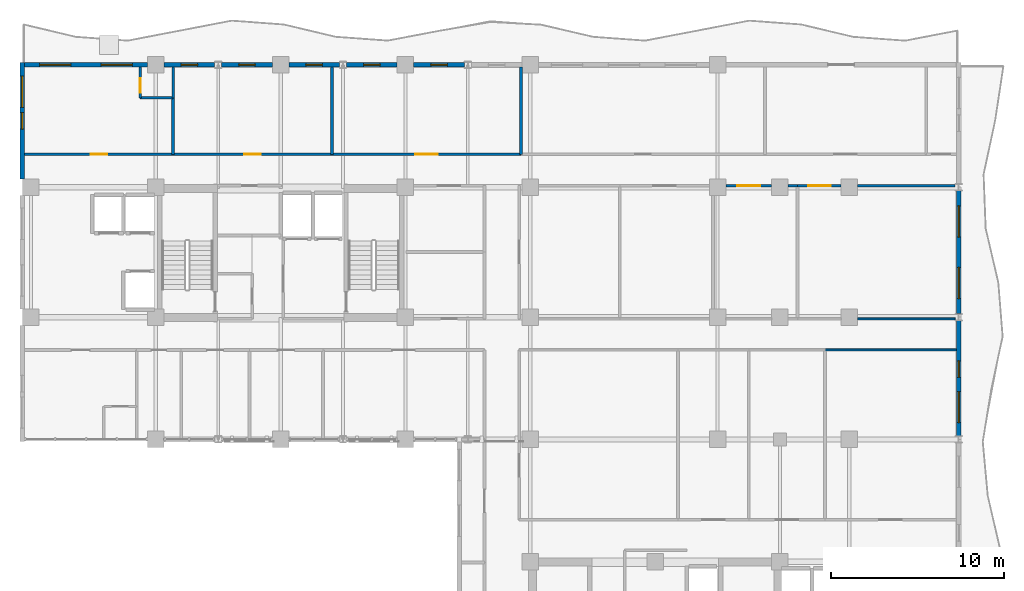
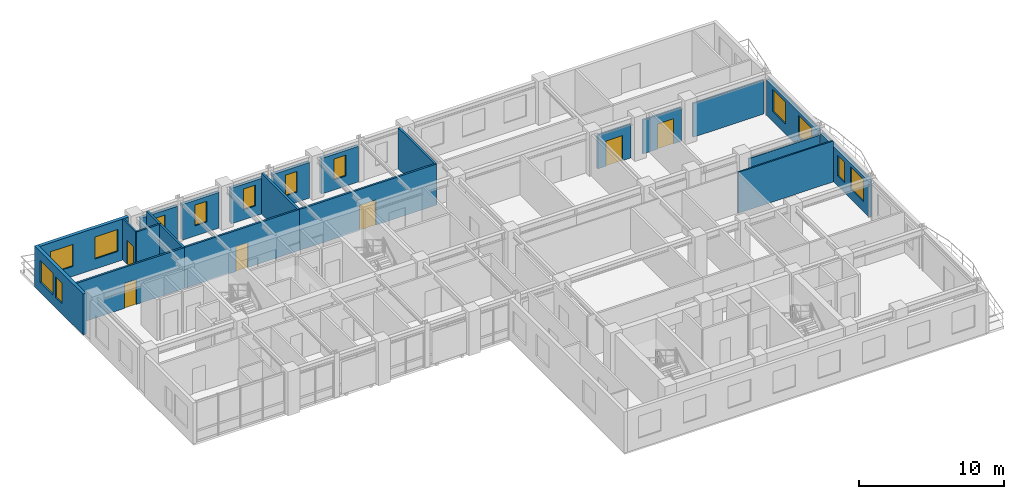
# One storey, part 11 of 16: 24 walls, 13 windows, 6 doors, 19 openings.
"""IFC4 building model written with IfcOpenShell, lengths in metres."""

from ifc_helpers import new_model, si_unit, direction, frame, frame_2d, origin, place, context, subcontext, project, spatial, rectangle, extrude, material, layer, layer_set, type_object, element, fill, save


model = new_model("IFC4")

# Units and contexts
model_context = context("Model", 3, precision=1e-05, world=origin(), true_north=direction((0.0, 1.0)))
body_context = subcontext(model_context, "Body", "Model", "MODEL_VIEW")
ifc_project = project(units=[si_unit("LENGTHUNIT", "METRE"), si_unit("AREAUNIT", "SQUARE_METRE"), si_unit("VOLUMEUNIT", "CUBIC_METRE"), si_unit("PLANEANGLEUNIT", "RADIAN"), si_unit("MASSUNIT", "GRAM", prefix="KILO")], contexts=[model_context])

# Site, building, storey
site_placement = place(None, origin())
site = spatial("IfcSite", under=ifc_project, at=site_placement, CompositionType="ELEMENT")
building_placement = place(site_placement, origin())
building = spatial("IfcBuilding", under=site, at=building_placement, Name="Kaliganga Portal Commons", CompositionType="ELEMENT")
storey_placement = place(building_placement, frame((0.0, 0.0, 205.5)))
storey = spatial("IfcBuildingStorey", under=building, at=storey_placement, Name="L52", CompositionType="ELEMENT", Elevation=205.5)

# Wall, openings, windows
ifc_material_1 = material(Name="Insulated Aluminium-Clad Spandrel Assembly", Category="aluminium")
ifc_layer_1 = layer(ifc_material_1, 0.260009765625)
ifc_layer_set_1 = layer_set([ifc_layer_1], Name="Insulated Aluminium-Clad Spandrel Assembly")
wall_type_1 = type_object("IfcWallType", Name="WL-EXT-SPAND-260", PredefinedType="STANDARD", material=ifc_layer_set_1)
wall_1_placement = place(storey_placement, frame((60.699951171875, 28.448974609375, 0.0), z_axis=(0.0, 0.0, 1.0), x_axis=(0.0, -1.0, 0.0)))
wall_1 = element("IfcWall", 1, at=wall_1_placement, inside=storey, type_object=wall_type_1, Name="Exterior Envelope Wall L52 P1-E01-S4", PredefinedType="STANDARD", context=body_context, shape_type="SweptSolid", body=[
    extrude(rectangle(XDim=6.64794921875, YDim=0.260009765625, at=frame_2d((3.323974609375, 0.0))), origin(), (0.0, 0.0, 1.0), 3.0),
])
opening_1_placement = place(wall_1_placement, frame((4.0859375, 0.0, 0.85009765625)))
opening_1 = element("IfcOpeningElement", 2, at=opening_1_placement, cuts=wall_1, Name="Opening W-01", PredefinedType="OPENING", context=body_context, shape_type="SweptSolid", body=[
    extrude(rectangle(XDim=1.800048828125, YDim=1.85009765625, at=frame_2d((0.89990234375, 0.925048828125))), frame((0.0, 0.14013671875, 0.0), z_axis=(0.0, -1.0, 0.0), x_axis=(1.0, 0.0, 0.0)), (0.0, 0.0, 1.0), 0.280029296875),
])
opening_2_placement = place(wall_1_placement, frame((2.317138671875, 0.0, 0.85009765625)))
opening_2 = element("IfcOpeningElement", 3, at=opening_2_placement, cuts=wall_1, Name="Opening W-04", PredefinedType="OPENING", context=body_context, shape_type="SweptSolid", body=[
    extrude(rectangle(XDim=0.949951171875, YDim=1.75, at=frame_2d((0.47509765625, 0.875))), frame((0.0, 0.14013671875, 0.0), z_axis=(0.0, -1.0, 0.0), x_axis=(1.0, 0.0, 0.0)), (0.0, 0.0, 1.0), 0.280029296875),
])
ifc_material_2 = material(Name="Thermally Broken Aluminium and Low-E Double Glazing", Category="aluminium")
window_type_1 = type_object("IfcWindowType", Name="WIN-NARROW-950", PartitioningType="SINGLE_PANEL", PredefinedType="WINDOW", material=ifc_material_2)
window_1_placement = place(opening_2_placement, origin())
window_1 = element("IfcWindow", 4, at=window_1_placement, inside=storey, type_object=window_type_1, Name="Facade Window L52-P1E01S4-N5", OverallHeight=1.75, OverallWidth=0.949951171875, PartitioningType="SINGLE_PANEL", PredefinedType="WINDOW", context=body_context, shape_type="SweptSolid", body=[
    extrude(rectangle(XDim=0.949951171875, YDim=1.75, at=frame_2d((0.47509765625, 0.875))), frame((0.0, 0.030029296875, 0.0), z_axis=(0.0, -1.0, 0.0), x_axis=(1.0, 0.0, 0.0)), (0.0, 0.0, 1.0), 0.06005859375),
])
fill(opening_2, window_1)
window_type_2 = type_object("IfcWindowType", Name="WIN-STD-1800", PartitioningType="DOUBLE_PANEL_VERTICAL", PredefinedType="WINDOW", material=ifc_material_2)
window_2_placement = place(opening_1_placement, origin())
window_2 = element("IfcWindow", 5, at=window_2_placement, inside=storey, type_object=window_type_2, Name="Facade Window L52-P1E01S4-01", OverallHeight=1.85009765625, OverallWidth=1.800048828125, PartitioningType="SINGLE_PANEL", PredefinedType="WINDOW", context=body_context, shape_type="SweptSolid", body=[
    extrude(rectangle(XDim=1.800048828125, YDim=1.85009765625, at=frame_2d((0.89990234375, 0.925048828125))), frame((0.0, 0.030029296875, 0.0), z_axis=(0.0, -1.0, 0.0), x_axis=(1.0, 0.0, 0.0)), (0.0, 0.0, 1.0), 0.06005859375),
])
fill(opening_1, window_2)

wall_2_placement = place(storey_placement, frame((60.699951171875, 35.948974609375, 0.0), z_axis=(0.0, 0.0, 1.0), x_axis=(0.0, -1.0, 0.0)))
wall_2 = element("IfcWall", 6, at=wall_2_placement, inside=storey, type_object=wall_type_1, Name="Exterior Envelope Wall L52 P1-E01-S5", PredefinedType="STANDARD", context=body_context, shape_type="SweptSolid", body=[
    extrude(rectangle(XDim=7.097900390625, YDim=0.260009765625, at=frame_2d((3.548828125, 0.0))), origin(), (0.0, 0.0, 1.0), 3.0),
])
opening_3_placement = place(wall_2_placement, frame((0.87451171875, 0.0, 0.85009765625)))
opening_3 = element("IfcOpeningElement", 7, at=opening_3_placement, cuts=wall_2, Name="Opening W-01", PredefinedType="OPENING", context=body_context, shape_type="SweptSolid", body=[
    extrude(rectangle(XDim=1.800048828125, YDim=1.85009765625, at=frame_2d((0.89990234375, 0.925048828125))), frame((0.0, 0.14013671875, 0.0), z_axis=(0.0, -1.0, 0.0), x_axis=(1.0, 0.0, 0.0)), (0.0, 0.0, 1.0), 0.280029296875),
])
opening_4_placement = place(wall_2_placement, frame((4.423583984375, 0.0, 0.85009765625)))
opening_4 = element("IfcOpeningElement", 8, at=opening_4_placement, cuts=wall_2, Name="Opening W-01", PredefinedType="OPENING", context=body_context, shape_type="SweptSolid", body=[
    extrude(rectangle(XDim=1.800048828125, YDim=1.85009765625, at=frame_2d((0.89990234375, 0.925048828125))), frame((0.0, 0.14013671875, 0.0), z_axis=(0.0, -1.0, 0.0), x_axis=(1.0, 0.0, 0.0)), (0.0, 0.0, 1.0), 0.280029296875),
])
window_3_placement = place(opening_3_placement, origin())
window_3 = element("IfcWindow", 9, at=window_3_placement, inside=storey, type_object=window_type_2, Name="Facade Window L52-P1E01S5-00", OverallHeight=1.85009765625, OverallWidth=1.800048828125, PartitioningType="SINGLE_PANEL", PredefinedType="WINDOW", context=body_context, shape_type="SweptSolid", body=[
    extrude(rectangle(XDim=1.800048828125, YDim=1.85009765625, at=frame_2d((0.89990234375, 0.925048828125))), frame((0.0, 0.030029296875, 0.0), z_axis=(0.0, -1.0, 0.0), x_axis=(1.0, 0.0, 0.0)), (0.0, 0.0, 1.0), 0.06005859375),
])
fill(opening_3, window_3)
window_4_placement = place(opening_4_placement, origin())
window_4 = element("IfcWindow", 10, at=window_4_placement, inside=storey, type_object=window_type_2, Name="Facade Window L52-P1E01S5-01", OverallHeight=1.85009765625, OverallWidth=1.800048828125, PartitioningType="SINGLE_PANEL", PredefinedType="WINDOW", context=body_context, shape_type="SweptSolid", body=[
    extrude(rectangle(XDim=1.800048828125, YDim=1.85009765625, at=frame_2d((0.89990234375, 0.925048828125))), frame((0.0, 0.030029296875, 0.0), z_axis=(0.0, -1.0, 0.0), x_axis=(1.0, 0.0, 0.0)), (0.0, 0.0, 1.0), 0.06005859375),
])
fill(opening_4, window_4)

# Wall, opening, window
wall_3_placement = place(storey_placement, frame((29.27587890625, 43.199951171875, 0.0), z_axis=(0.0, 0.0, 1.0), x_axis=(1.0, 0.0, 0.0)))
wall_3 = element("IfcWall", 11, at=wall_3_placement, inside=storey, type_object=wall_type_1, Name="Exterior Envelope Wall L52 P1-E02-S4", PredefinedType="STANDARD", context=body_context, shape_type="SweptSolid", body=[
    extrude(rectangle(XDim=2.923583984375, YDim=0.260009765625, at=frame_2d((1.4619140625, 0.0))), origin(), (0.0, 0.0, 1.0), 3.0),
])
opening_5_placement = place(wall_3_placement, frame((0.98681640625, 0.0, 0.85009765625)))
opening_5 = element("IfcOpeningElement", 12, at=opening_5_placement, cuts=wall_3, Name="Opening W-04", PredefinedType="OPENING", context=body_context, shape_type="SweptSolid", body=[
    extrude(rectangle(XDim=0.949951171875, YDim=1.75, at=frame_2d((0.47509765625, 0.875))), frame((0.0, 0.14013671875, 0.0), z_axis=(0.0, -1.0, 0.0), x_axis=(1.0, 0.0, 0.0)), (0.0, 0.0, 1.0), 0.280029296875),
])
window_5_placement = place(opening_5_placement, origin())
window_5 = element("IfcWindow", 13, at=window_5_placement, inside=storey, type_object=window_type_1, Name="Facade Window L52-P1E02S4-00", OverallHeight=1.75, OverallWidth=0.949951171875, PartitioningType="SINGLE_PANEL", PredefinedType="WINDOW", context=body_context, shape_type="SweptSolid", body=[
    extrude(rectangle(XDim=0.949951171875, YDim=1.75, at=frame_2d((0.47509765625, 0.875))), frame((0.0, 0.030029296875, 0.0), z_axis=(0.0, -1.0, 0.0), x_axis=(1.0, 0.0, 0.0)), (0.0, 0.0, 1.0), 0.06005859375),
])
fill(opening_5, window_5)

wall_4_placement = place(storey_placement, frame((25.400390625, 43.199951171875, 0.0), z_axis=(0.0, 0.0, 1.0), x_axis=(1.0, 0.0, 0.0)))
wall_4 = element("IfcWall", 14, at=wall_4_placement, inside=storey, type_object=wall_type_1, Name="Exterior Envelope Wall L52 P1-E02-S5", PredefinedType="STANDARD", context=body_context, shape_type="SweptSolid", body=[
    extrude(rectangle(XDim=2.923583984375, YDim=0.260009765625, at=frame_2d((1.4619140625, 0.0))), origin(), (0.0, 0.0, 1.0), 3.0),
])
opening_6_placement = place(wall_4_placement, frame((0.98681640625, 0.0, 0.85009765625)))
opening_6 = element("IfcOpeningElement", 15, at=opening_6_placement, cuts=wall_4, Name="Opening W-04", PredefinedType="OPENING", context=body_context, shape_type="SweptSolid", body=[
    extrude(rectangle(XDim=0.949951171875, YDim=1.75, at=frame_2d((0.47509765625, 0.875))), frame((0.0, 0.14013671875, 0.0), z_axis=(0.0, -1.0, 0.0), x_axis=(1.0, 0.0, 0.0)), (0.0, 0.0, 1.0), 0.280029296875),
])
window_6_placement = place(opening_6_placement, origin())
window_6 = element("IfcWindow", 16, at=window_6_placement, inside=storey, type_object=window_type_1, Name="Facade Window L52-P1E02S5-00", OverallHeight=1.75, OverallWidth=0.949951171875, PartitioningType="SINGLE_PANEL", PredefinedType="WINDOW", context=body_context, shape_type="SweptSolid", body=[
    extrude(rectangle(XDim=0.949951171875, YDim=1.75, at=frame_2d((0.47509765625, 0.875))), frame((0.0, 0.030029296875, 0.0), z_axis=(0.0, -1.0, 0.0), x_axis=(1.0, 0.0, 0.0)), (0.0, 0.0, 1.0), 0.06005859375),
])
fill(opening_6, window_6)

wall_5_placement = place(storey_placement, frame((22.075927734375, 43.199951171875, 0.0), z_axis=(0.0, 0.0, 1.0), x_axis=(1.0, 0.0, 0.0)))
wall_5 = element("IfcWall", 17, at=wall_5_placement, inside=storey, type_object=wall_type_1, Name="Exterior Envelope Wall L52 P1-E02-S6", PredefinedType="STANDARD", context=body_context, shape_type="SweptSolid", body=[
    extrude(rectangle(XDim=2.923583984375, YDim=0.260009765625, at=frame_2d((1.4619140625, 0.0))), origin(), (0.0, 0.0, 1.0), 3.0),
])
opening_7_placement = place(wall_5_placement, frame((0.98681640625, 0.0, 0.85009765625)))
opening_7 = element("IfcOpeningElement", 18, at=opening_7_placement, cuts=wall_5, Name="Opening W-04", PredefinedType="OPENING", context=body_context, shape_type="SweptSolid", body=[
    extrude(rectangle(XDim=0.949951171875, YDim=1.75, at=frame_2d((0.47509765625, 0.875))), frame((0.0, 0.14013671875, 0.0), z_axis=(0.0, -1.0, 0.0), x_axis=(1.0, 0.0, 0.0)), (0.0, 0.0, 1.0), 0.280029296875),
])
window_7_placement = place(opening_7_placement, origin())
window_7 = element("IfcWindow", 19, at=window_7_placement, inside=storey, type_object=window_type_1, Name="Facade Window L52-P1E02S6-00", OverallHeight=1.75, OverallWidth=0.949951171875, PartitioningType="SINGLE_PANEL", PredefinedType="WINDOW", context=body_context, shape_type="SweptSolid", body=[
    extrude(rectangle(XDim=0.949951171875, YDim=1.75, at=frame_2d((0.47509765625, 0.875))), frame((0.0, 0.030029296875, 0.0), z_axis=(0.0, -1.0, 0.0), x_axis=(1.0, 0.0, 0.0)), (0.0, 0.0, 1.0), 0.06005859375),
])
fill(opening_7, window_7)

wall_6_placement = place(storey_placement, frame((18.200439453125, 43.199951171875, 0.0), z_axis=(0.0, 0.0, 1.0), x_axis=(1.0, 0.0, 0.0)))
wall_6 = element("IfcWall", 20, at=wall_6_placement, inside=storey, type_object=wall_type_1, Name="Exterior Envelope Wall L52 P1-E02-S7", PredefinedType="STANDARD", context=body_context, shape_type="SweptSolid", body=[
    extrude(rectangle(XDim=2.923583984375, YDim=0.260009765625, at=frame_2d((1.4619140625, 0.0))), origin(), (0.0, 0.0, 1.0), 3.0),
])
opening_8_placement = place(wall_6_placement, frame((0.98681640625, 0.0, 0.85009765625)))
opening_8 = element("IfcOpeningElement", 21, at=opening_8_placement, cuts=wall_6, Name="Opening W-04", PredefinedType="OPENING", context=body_context, shape_type="SweptSolid", body=[
    extrude(rectangle(XDim=0.949951171875, YDim=1.75, at=frame_2d((0.47509765625, 0.875))), frame((0.0, 0.14013671875, 0.0), z_axis=(0.0, -1.0, 0.0), x_axis=(1.0, 0.0, 0.0)), (0.0, 0.0, 1.0), 0.280029296875),
])
window_8_placement = place(opening_8_placement, origin())
window_8 = element("IfcWindow", 22, at=window_8_placement, inside=storey, type_object=window_type_1, Name="Facade Window L52-P1E02S7-00", OverallHeight=1.75, OverallWidth=0.949951171875, PartitioningType="SINGLE_PANEL", PredefinedType="WINDOW", context=body_context, shape_type="SweptSolid", body=[
    extrude(rectangle(XDim=0.949951171875, YDim=1.75, at=frame_2d((0.47509765625, 0.875))), frame((0.0, 0.030029296875, 0.0), z_axis=(0.0, -1.0, 0.0), x_axis=(1.0, 0.0, 0.0)), (0.0, 0.0, 1.0), 0.06005859375),
])
fill(opening_8, window_8)

wall_7_placement = place(storey_placement, frame((14.8759765625, 43.199951171875, 0.0), z_axis=(0.0, 0.0, 1.0), x_axis=(1.0, 0.0, 0.0)))
wall_7 = element("IfcWall", 23, at=wall_7_placement, inside=storey, type_object=wall_type_1, Name="Exterior Envelope Wall L52 P1-E02-S8", PredefinedType="STANDARD", context=body_context, shape_type="SweptSolid", body=[
    extrude(rectangle(XDim=2.923583984375, YDim=0.260009765625, at=frame_2d((1.4619140625, 0.0))), origin(), (0.0, 0.0, 1.0), 3.0),
])
opening_9_placement = place(wall_7_placement, frame((0.98681640625, 0.0, 0.85009765625)))
opening_9 = element("IfcOpeningElement", 24, at=opening_9_placement, cuts=wall_7, Name="Opening W-04", PredefinedType="OPENING", context=body_context, shape_type="SweptSolid", body=[
    extrude(rectangle(XDim=0.949951171875, YDim=1.75, at=frame_2d((0.47509765625, 0.875))), frame((0.0, 0.14013671875, 0.0), z_axis=(0.0, -1.0, 0.0), x_axis=(1.0, 0.0, 0.0)), (0.0, 0.0, 1.0), 0.280029296875),
])
window_9_placement = place(opening_9_placement, origin())
window_9 = element("IfcWindow", 25, at=window_9_placement, inside=storey, type_object=window_type_1, Name="Facade Window L52-P1E02S8-00", OverallHeight=1.75, OverallWidth=0.949951171875, PartitioningType="SINGLE_PANEL", PredefinedType="WINDOW", context=body_context, shape_type="SweptSolid", body=[
    extrude(rectangle(XDim=0.949951171875, YDim=1.75, at=frame_2d((0.47509765625, 0.875))), frame((0.0, 0.030029296875, 0.0), z_axis=(0.0, -1.0, 0.0), x_axis=(1.0, 0.0, 0.0)), (0.0, 0.0, 1.0), 0.06005859375),
])
fill(opening_9, window_9)

# Wall, openings, windows
wall_8_placement = place(storey_placement, frame((6.8349609375, 43.199951171875, 0.0), z_axis=(0.0, 0.0, 1.0), x_axis=(1.0, 0.0, 0.0)))
wall_8 = element("IfcWall", 26, at=wall_8_placement, inside=storey, type_object=wall_type_1, Name="Exterior Envelope Wall L52 P1-E02-S9", PredefinedType="STANDARD", context=body_context, shape_type="SweptSolid", body=[
    extrude(rectangle(XDim=7.089111328125, YDim=0.260009765625, at=frame_2d((3.54443359375, 0.0))), origin(), (0.0, 0.0, 1.0), 3.449951171875),
])
opening_10_placement = place(wall_8_placement, frame((0.872314453125, 0.0, 0.85009765625)))
opening_10 = element("IfcOpeningElement", 27, at=opening_10_placement, cuts=wall_8, Name="Opening W-01", PredefinedType="OPENING", context=body_context, shape_type="SweptSolid", body=[
    extrude(rectangle(XDim=1.800048828125, YDim=1.85009765625, at=frame_2d((0.89990234375, 0.925048828125))), frame((0.0, 0.14013671875, 0.0), z_axis=(0.0, -1.0, 0.0), x_axis=(1.0, 0.0, 0.0)), (0.0, 0.0, 1.0), 0.280029296875),
])
opening_11_placement = place(wall_8_placement, frame((4.416748046875, 0.0, 0.85009765625)))
opening_11 = element("IfcOpeningElement", 28, at=opening_11_placement, cuts=wall_8, Name="Opening W-01", PredefinedType="OPENING", context=body_context, shape_type="SweptSolid", body=[
    extrude(rectangle(XDim=1.800048828125, YDim=1.85009765625, at=frame_2d((0.89990234375, 0.925048828125))), frame((0.0, 0.14013671875, 0.0), z_axis=(0.0, -1.0, 0.0), x_axis=(1.0, 0.0, 0.0)), (0.0, 0.0, 1.0), 0.280029296875),
])
window_10_placement = place(opening_10_placement, origin())
window_10 = element("IfcWindow", 29, at=window_10_placement, inside=storey, type_object=window_type_2, Name="Facade Window L52-P1E02S9-00", OverallHeight=1.85009765625, OverallWidth=1.800048828125, PartitioningType="SINGLE_PANEL", PredefinedType="WINDOW", context=body_context, shape_type="SweptSolid", body=[
    extrude(rectangle(XDim=1.800048828125, YDim=1.85009765625, at=frame_2d((0.89990234375, 0.925048828125))), frame((0.0, 0.030029296875, 0.0), z_axis=(0.0, -1.0, 0.0), x_axis=(1.0, 0.0, 0.0)), (0.0, 0.0, 1.0), 0.06005859375),
])
fill(opening_10, window_10)
window_11_placement = place(opening_11_placement, origin())
window_11 = element("IfcWindow", 30, at=window_11_placement, inside=storey, type_object=window_type_2, Name="Facade Window L52-P1E02S9-01", OverallHeight=1.85009765625, OverallWidth=1.800048828125, PartitioningType="SINGLE_PANEL", PredefinedType="WINDOW", context=body_context, shape_type="SweptSolid", body=[
    extrude(rectangle(XDim=1.800048828125, YDim=1.85009765625, at=frame_2d((0.89990234375, 0.925048828125))), frame((0.0, 0.030029296875, 0.0), z_axis=(0.0, -1.0, 0.0), x_axis=(1.0, 0.0, 0.0)), (0.0, 0.0, 1.0), 0.06005859375),
])
fill(opening_11, window_11)

wall_9_placement = place(storey_placement, frame((6.699951171875, 36.6259765625, 0.0), z_axis=(0.0, 0.0, 1.0), x_axis=(0.0, 1.0, 0.0)))
wall_9 = element("IfcWall", 31, at=wall_9_placement, inside=storey, type_object=wall_type_1, Name="Exterior Envelope Wall L52 P1-E03-S1", PredefinedType="STANDARD", context=body_context, shape_type="SweptSolid", body=[
    extrude(rectangle(XDim=6.7041015625, YDim=0.260009765625, at=frame_2d((3.35205078125, 0.0))), origin(), (0.0, 0.0, 1.0), 3.449951171875),
])
opening_12_placement = place(wall_9_placement, frame((4.1279296875, 0.0, 0.85009765625)))
opening_12 = element("IfcOpeningElement", 32, at=opening_12_placement, cuts=wall_9, Name="Opening W-01", PredefinedType="OPENING", context=body_context, shape_type="SweptSolid", body=[
    extrude(rectangle(XDim=1.800048828125, YDim=1.85009765625, at=frame_2d((0.89990234375, 0.925048828125))), frame((0.0, 0.14013671875, 0.0), z_axis=(0.0, -1.0, 0.0), x_axis=(1.0, 0.0, 0.0)), (0.0, 0.0, 1.0), 0.280029296875),
])
opening_13_placement = place(wall_9_placement, frame((2.876953125, 0.0, 0.85009765625)))
opening_13 = element("IfcOpeningElement", 33, at=opening_13_placement, cuts=wall_9, Name="Opening W-04", PredefinedType="OPENING", context=body_context, shape_type="SweptSolid", body=[
    extrude(rectangle(XDim=0.949951171875, YDim=1.75, at=frame_2d((0.47509765625, 0.875))), frame((0.0, 0.14013671875, 0.0), z_axis=(0.0, -1.0, 0.0), x_axis=(1.0, 0.0, 0.0)), (0.0, 0.0, 1.0), 0.280029296875),
])
window_12_placement = place(opening_13_placement, origin())
window_12 = element("IfcWindow", 34, at=window_12_placement, inside=storey, type_object=window_type_1, Name="Facade Window L52-P1E03S1-N0", OverallHeight=1.75, OverallWidth=0.949951171875, PartitioningType="SINGLE_PANEL", PredefinedType="WINDOW", context=body_context, shape_type="SweptSolid", body=[
    extrude(rectangle(XDim=0.949951171875, YDim=1.75, at=frame_2d((0.47509765625, 0.875))), frame((0.0, 0.030029296875, 0.0), z_axis=(0.0, -1.0, 0.0), x_axis=(1.0, 0.0, 0.0)), (0.0, 0.0, 1.0), 0.06005859375),
])
fill(opening_13, window_12)
window_13_placement = place(opening_12_placement, origin())
window_13 = element("IfcWindow", 35, at=window_13_placement, inside=storey, type_object=window_type_2, Name="Facade Window L52-P1E03S1-01", OverallHeight=1.85009765625, OverallWidth=1.800048828125, PartitioningType="SINGLE_PANEL", PredefinedType="WINDOW", context=body_context, shape_type="SweptSolid", body=[
    extrude(rectangle(XDim=1.800048828125, YDim=1.85009765625, at=frame_2d((0.89990234375, 0.925048828125))), frame((0.0, 0.030029296875, 0.0), z_axis=(0.0, -1.0, 0.0), x_axis=(1.0, 0.0, 0.0)), (0.0, 0.0, 1.0), 0.06005859375),
])
fill(opening_12, window_13)

# Wall, opening, door
ifc_material_3 = material(Name="Fire-Rated Gypsum Board on Steel Stud", Category="steel")
ifc_layer_2 = layer(ifc_material_3, 0.14990234375)
ifc_layer_set_2 = layer_set([ifc_layer_2], Name="Fire-Rated Gypsum Board on Steel Stud")
wall_type_2 = type_object("IfcWallType", Name="WL-PART-CORR-150", PredefinedType="PARTITIONING", material=ifc_layer_set_2)
wall_10_placement = place(storey_placement, frame((24.56005859375, 38.0400390625, 0.0), z_axis=(0.0, 0.0, 1.0), x_axis=(1.0, 0.0, 0.0)))
wall_10 = element("IfcWall", 36, at=wall_10_placement, inside=storey, type_object=wall_type_2, Name="Interior Partition L52-008", PredefinedType="PARTITIONING", context=body_context, shape_type="SweptSolid", body=[
    extrude(rectangle(XDim=10.89990234375, YDim=0.14990234375, at=frame_2d((5.449951171875, 0.0))), origin(), (0.0, 0.0, 1.0), 3.449951171875),
])
opening_14_placement = place(wall_10_placement, frame((4.800048828125, 0.0, 0.0)))
opening_14 = element("IfcOpeningElement", 37, at=opening_14_placement, cuts=wall_10, Name="Opening RD-03", PredefinedType="OPENING", context=body_context, shape_type="SweptSolid", body=[
    extrude(rectangle(XDim=1.300048828125, YDim=2.1201171875, at=frame_2d((0.64990234375, 1.06005859375))), frame((0.0, 0.0849609375, 0.0), z_axis=(0.0, -1.0, 0.0), x_axis=(1.0, 0.0, 0.0)), (0.0, 0.0, 1.0), 0.169921875),
])
ifc_material_4 = material(Name="Glazed Timber Seminar Vision Door", Category="wood")
door_type_1 = type_object("IfcDoorType", Name="DR-STUDY-1300", OperationType="DOUBLE_DOOR_SINGLE_SWING", PredefinedType="DOOR", material=ifc_material_4)
door_1_placement = place(opening_14_placement, origin())
door_1 = element("IfcDoor", 38, at=door_1_placement, inside=storey, type_object=door_type_1, Name="Interior Door L52-AN03", OperationType="DOUBLE_DOOR_SINGLE_SWING", OverallHeight=2.1201171875, OverallWidth=1.300048828125, PredefinedType="DOOR", context=body_context, shape_type="SweptSolid", body=[
    extrude(rectangle(XDim=1.300048828125, YDim=2.1201171875, at=frame_2d((0.64990234375, 1.06005859375))), frame((0.0, 0.02490234375, 0.0), z_axis=(0.0, -1.0, 0.0), x_axis=(1.0, 0.0, 0.0)), (0.0, 0.0, 1.0), 0.050048828125),
])
fill(opening_14, door_1)

wall_11_placement = place(storey_placement, frame((51.419921875, 36.239990234375, 0.0), z_axis=(0.0, 0.0, 1.0), x_axis=(1.0, 0.0, 0.0)))
wall_11 = element("IfcWall", 39, at=wall_11_placement, inside=storey, type_object=wall_type_2, Name="Interior Partition L52-012", PredefinedType="PARTITIONING", context=body_context, shape_type="SweptSolid", body=[
    extrude(rectangle(XDim=2.505126953125, YDim=0.14990234375, at=frame_2d((1.25244140625, 0.0))), origin(), (0.0, 0.0, 1.0), 2.85009765625),
])
opening_15_placement = place(wall_11_placement, frame((0.6025390625, 0.0, 0.0)))
opening_15 = element("IfcOpeningElement", 40, at=opening_15_placement, cuts=wall_11, Name="Opening RD-03", PredefinedType="OPENING", context=body_context, shape_type="SweptSolid", body=[
    extrude(rectangle(XDim=1.300048828125, YDim=2.1201171875, at=frame_2d((0.64990234375, 1.06005859375))), frame((0.0, 0.0849609375, 0.0), z_axis=(0.0, -1.0, 0.0), x_axis=(1.0, 0.0, 0.0)), (0.0, 0.0, 1.0), 0.169921875),
])
door_2_placement = place(opening_15_placement, origin())
door_2 = element("IfcDoor", 41, at=door_2_placement, inside=storey, type_object=door_type_1, Name="Interior Door L52-BK04", OperationType="DOUBLE_DOOR_SINGLE_SWING", OverallHeight=2.1201171875, OverallWidth=1.300048828125, PredefinedType="DOOR", context=body_context, shape_type="SweptSolid", body=[
    extrude(rectangle(XDim=1.300048828125, YDim=2.1201171875, at=frame_2d((0.64990234375, 1.06005859375))), frame((0.0, 0.02490234375, 0.0), z_axis=(0.0, -1.0, 0.0), x_axis=(1.0, 0.0, 0.0)), (0.0, 0.0, 1.0), 0.050048828125),
])
fill(opening_15, door_2)

# Wall
wall_12_placement = place(storey_placement, frame((54.875, 36.239990234375, 0.0), z_axis=(0.0, 0.0, 1.0), x_axis=(1.0, 0.0, 0.0)))
element("IfcWall", 42, at=wall_12_placement, inside=storey, type_object=wall_type_2, Name="Interior Partition L52-013", PredefinedType="PARTITIONING", context=body_context, shape_type="SweptSolid", body=[
    extrude(rectangle(XDim=5.62548828125, YDim=0.14990234375, at=frame_2d((2.812744140625, 0.0))), origin(), (0.0, 0.0, 1.0), 2.85009765625),
])

# Wall, opening, door
wall_13_placement = place(storey_placement, frame((15.39990234375, 38.0400390625, 0.0), z_axis=(0.0, 0.0, 1.0), x_axis=(1.0, 0.0, 0.0)))
wall_13 = element("IfcWall", 43, at=wall_13_placement, inside=storey, type_object=wall_type_2, Name="Interior Partition L52-015", PredefinedType="PARTITIONING", context=body_context, shape_type="SweptSolid", body=[
    extrude(rectangle(XDim=9.16015625, YDim=0.14990234375, at=frame_2d((4.580078125, 0.0))), origin(), (0.0, 0.0, 1.0), 3.449951171875),
])
opening_16_placement = place(wall_13_placement, frame((4.10498046875, 0.0, 0.0)))
opening_16 = element("IfcOpeningElement", 44, at=opening_16_placement, cuts=wall_13, Name="Opening UD-01", PredefinedType="OPENING", context=body_context, shape_type="SweptSolid", body=[
    extrude(rectangle(XDim=0.949951171875, YDim=2.10009765625, at=frame_2d((0.47509765625, 1.050048828125))), frame((0.0, 0.0849609375, 0.0), z_axis=(0.0, -1.0, 0.0), x_axis=(1.0, 0.0, 0.0)), (0.0, 0.0, 1.0), 0.169921875),
])
ifc_material_5 = material(Name="Solid-Core Timber Acoustic Fire Door", Category="wood")
door_type_2 = type_object("IfcDoorType", Name="DR-UNIT-950", OperationType="NOTDEFINED", PredefinedType="DOOR", material=ifc_material_5)
door_3_placement = place(opening_16_placement, origin())
door_3 = element("IfcDoor", 45, at=door_3_placement, inside=storey, type_object=door_type_2, Name="Interior Door L52-AN02", OperationType="SINGLE_SWING_LEFT", OverallHeight=2.10009765625, OverallWidth=0.949951171875, PredefinedType="DOOR", context=body_context, shape_type="SweptSolid", body=[
    extrude(rectangle(XDim=0.949951171875, YDim=2.10009765625, at=frame_2d((0.47509765625, 1.050048828125))), frame((0.0, 0.02490234375, 0.0), z_axis=(0.0, -1.0, 0.0), x_axis=(1.0, 0.0, 0.0)), (0.0, 0.0, 1.0), 0.050048828125),
])
fill(opening_16, door_3)

wall_14_placement = place(storey_placement, frame((6.83203125, 38.0400390625, 0.0), z_axis=(0.0, 0.0, 1.0), x_axis=(1.0, 0.0, 0.0)))
wall_14 = element("IfcWall", 46, at=wall_14_placement, inside=storey, type_object=wall_type_2, Name="Interior Partition L52-016", PredefinedType="PARTITIONING", context=body_context, shape_type="SweptSolid", body=[
    extrude(rectangle(XDim=8.56787109375, YDim=0.14990234375, at=frame_2d((4.283935546875, 0.0))), origin(), (0.0, 0.0, 1.0), 3.449951171875),
])
opening_17_placement = place(wall_14_placement, frame((3.80908203125, 0.0, 0.0)))
opening_17 = element("IfcOpeningElement", 47, at=opening_17_placement, cuts=wall_14, Name="Opening UD-01", PredefinedType="OPENING", context=body_context, shape_type="SweptSolid", body=[
    extrude(rectangle(XDim=0.949951171875, YDim=2.10009765625, at=frame_2d((0.47509765625, 1.050048828125))), frame((0.0, 0.0849609375, 0.0), z_axis=(0.0, -1.0, 0.0), x_axis=(1.0, 0.0, 0.0)), (0.0, 0.0, 1.0), 0.169921875),
])
door_4_placement = place(opening_17_placement, origin())
door_4 = element("IfcDoor", 48, at=door_4_placement, inside=storey, type_object=door_type_2, Name="Interior Door L52-AN01", OperationType="SINGLE_SWING_RIGHT", OverallHeight=2.10009765625, OverallWidth=0.949951171875, PredefinedType="DOOR", context=body_context, shape_type="SweptSolid", body=[
    extrude(rectangle(XDim=0.949951171875, YDim=2.10009765625, at=frame_2d((0.47509765625, 1.050048828125))), frame((0.0, 0.02490234375, 0.0), z_axis=(0.0, -1.0, 0.0), x_axis=(1.0, 0.0, 0.0)), (0.0, 0.0, 1.0), 0.050048828125),
])
fill(opening_17, door_4)

wall_15_placement = place(storey_placement, frame((47.27490234375, 36.239990234375, 0.0), z_axis=(0.0, 0.0, 1.0), x_axis=(1.0, 0.0, 0.0)))
wall_15 = element("IfcWall", 49, at=wall_15_placement, inside=storey, type_object=wall_type_2, Name="Interior Partition L52-025", PredefinedType="PARTITIONING", context=body_context, shape_type="SweptSolid", body=[
    extrude(rectangle(XDim=2.650146484375, YDim=0.14990234375, at=frame_2d((1.3251953125, 0.0))), origin(), (0.0, 0.0, 1.0), 2.85009765625),
])
opening_18_placement = place(wall_15_placement, frame((0.675048828125, 0.0, 0.0)))
opening_18 = element("IfcOpeningElement", 50, at=opening_18_placement, cuts=wall_15, Name="Opening RD-03", PredefinedType="OPENING", context=body_context, shape_type="SweptSolid", body=[
    extrude(rectangle(XDim=1.300048828125, YDim=2.1201171875, at=frame_2d((0.64990234375, 1.06005859375))), frame((0.0, 0.0849609375, 0.0), z_axis=(0.0, -1.0, 0.0), x_axis=(1.0, 0.0, 0.0)), (0.0, 0.0, 1.0), 0.169921875),
])
door_5_placement = place(opening_18_placement, origin())
door_5 = element("IfcDoor", 51, at=door_5_placement, inside=storey, type_object=door_type_1, Name="Interior Door L52-BK03", OperationType="DOUBLE_DOOR_SINGLE_SWING", OverallHeight=2.1201171875, OverallWidth=1.300048828125, PredefinedType="DOOR", context=body_context, shape_type="SweptSolid", body=[
    extrude(rectangle(XDim=1.300048828125, YDim=2.1201171875, at=frame_2d((0.64990234375, 1.06005859375))), frame((0.0, 0.02490234375, 0.0), z_axis=(0.0, -1.0, 0.0), x_axis=(1.0, 0.0, 0.0)), (0.0, 0.0, 1.0), 0.050048828125),
])
fill(opening_18, door_5)

# Walls
wall_16_placement = place(storey_placement, frame((50.875, 36.239990234375, 0.0), z_axis=(0.0, 0.0, 1.0), x_axis=(1.0, 0.0, 0.0)))
element("IfcWall", 52, at=wall_16_placement, inside=storey, type_object=wall_type_2, Name="Interior Partition L52-026", PredefinedType="PARTITIONING", context=body_context, shape_type="SweptSolid", body=[
    extrude(rectangle(XDim=0.544921875, YDim=0.14990234375, at=frame_2d((0.2724609375, 0.0))), origin(), (0.0, 0.0, 1.0), 2.85009765625),
])
ifc_material_6 = material(Name="Moisture-Resistant Gypsum Partition", Category="gypsum")
ifc_layer_3 = layer(ifc_material_6, 0.114990234375)
ifc_layer_set_3 = layer_set([ifc_layer_3], Name="Moisture-Resistant Gypsum Partition")
wall_type_3 = type_object("IfcWallType", Name="WL-PART-ROOM-115", PredefinedType="PARTITIONING", material=ifc_layer_set_3)
wall_17_placement = place(storey_placement, frame((54.875, 28.56005859375, 0.0), z_axis=(0.0, 0.0, 1.0), x_axis=(1.0, 0.0, 0.0)))
element("IfcWall", 53, at=wall_17_placement, inside=storey, type_object=wall_type_3, Name="Interior Partition L52-050", PredefinedType="PARTITIONING", context=body_context, shape_type="SweptSolid", body=[
    extrude(rectangle(XDim=5.62548828125, YDim=0.114990234375, at=frame_2d((2.812744140625, 0.0))), origin(), (0.0, 0.0, 1.0), 2.85009765625),
])
wall_18_placement = place(storey_placement, frame((53.0, 26.760009765625, 0.0), z_axis=(0.0, 0.0, 1.0), x_axis=(1.0, 0.0, 0.0)))
element("IfcWall", 54, at=wall_18_placement, inside=storey, type_object=wall_type_3, Name="Interior Partition L52-052", PredefinedType="PARTITIONING", context=body_context, shape_type="SweptSolid", body=[
    extrude(rectangle(XDim=7.568115234375, YDim=0.114990234375, at=frame_2d((3.7841796875, 0.0))), origin(), (0.0, 0.0, 1.0), 3.449951171875),
])
ifc_material_7 = material(Name="Twin-Stud Acoustic Gypsum Partition", Category="gypsum")
ifc_layer_4 = layer(ifc_material_7, 0.1650390625)
ifc_layer_set_4 = layer_set([ifc_layer_4], Name="Twin-Stud Acoustic Gypsum Partition")
wall_type_4 = type_object("IfcWallType", Name="WL-PART-UNIT-165", PredefinedType="PARTITIONING", material=ifc_layer_set_4)
for number, where, z_axis, x_axis, name in (
    (55, (24.56005859375, 38.0400390625, 0.0), (0.0, 0.0, 1.0), (0.0, 1.0, 0.0), "Interior Partition L52-058"),
    (56, (35.4599609375, 38.0400390625, 0.0), (0.0, 0.0, 1.0), (0.0, 1.0, 0.0), "Interior Partition L52-059"),
):
    element("IfcWall", number, at=place(storey_placement, frame(where, z_axis=z_axis, x_axis=x_axis)), inside=storey, type_object=wall_type_4, Name=name, PredefinedType="PARTITIONING", context=body_context, shape_type="SweptSolid", body=[
        extrude(rectangle(XDim=5.028076171875, YDim=0.1650390625, at=frame_2d((2.51416015625, 0.0))), origin(), (0.0, 0.0, 1.0), 3.449951171875),
    ])
wall_19_placement = place(storey_placement, frame((15.39990234375, 38.0400390625, 0.0), z_axis=(0.0, 0.0, 1.0), x_axis=(0.0, 1.0, 0.0)))
element("IfcWall", 57, at=wall_19_placement, inside=storey, type_object=wall_type_4, Name="Interior Partition L52-073", PredefinedType="PARTITIONING", context=body_context, shape_type="SweptSolid", body=[
    extrude(rectangle(XDim=3.260009765625, YDim=0.1650390625, at=frame_2d((1.6298828125, 0.0))), origin(), (0.0, 0.0, 1.0), 3.449951171875),
])

# Wall, opening, door
ifc_material_8 = material(Name="Cement-Board Wet-Room Partition", Category="gypsum")
ifc_layer_5 = layer(ifc_material_8, 0.135009765625)
ifc_layer_set_5 = layer_set([ifc_layer_5], Name="Cement-Board Wet-Room Partition")
wall_type_5 = type_object("IfcWallType", Name="WL-PART-WET-135", PredefinedType="PARTITIONING", material=ifc_layer_set_5)
wall_20_placement = place(storey_placement, frame((13.5, 41.300048828125, 0.0), z_axis=(0.0, 0.0, 1.0), x_axis=(0.0, 1.0, 0.0)))
wall_20 = element("IfcWall", 58, at=wall_20_placement, inside=storey, type_object=wall_type_5, Name="Interior Partition L52-001", PredefinedType="PARTITIONING", context=body_context, shape_type="SweptSolid", body=[
    extrude(rectangle(XDim=1.76806640625, YDim=0.135009765625, at=frame_2d((0.884033203125, 0.0))), origin(), (0.0, 0.0, 1.0), 3.449951171875),
])
opening_19_placement = place(wall_20_placement, frame((0.2822265625, 0.0, 0.0)))
opening_19 = element("IfcOpeningElement", 59, at=opening_19_placement, cuts=wall_20, Name="Opening WD-01", PredefinedType="OPENING", context=body_context, shape_type="SweptSolid", body=[
    extrude(rectangle(XDim=0.85009765625, YDim=2.0400390625, at=frame_2d((0.425048828125, 1.02001953125))), frame((0.0, 0.07763671875, 0.0), z_axis=(0.0, -1.0, 0.0), x_axis=(1.0, 0.0, 0.0)), (0.0, 0.0, 1.0), 0.155029296875),
])
ifc_material_9 = material(Name="Moisture-Resistant Laminate Timber Door", Category="wood")
door_type_3 = type_object("IfcDoorType", Name="DR-WET-850", OperationType="NOTDEFINED", PredefinedType="DOOR", material=ifc_material_9)
door_6_placement = place(opening_19_placement, origin())
door_6 = element("IfcDoor", 60, at=door_6_placement, inside=storey, type_object=door_type_3, Name="Interior Door L52-AN01E", OperationType="SINGLE_SWING_LEFT", OverallHeight=2.0400390625, OverallWidth=0.85009765625, PredefinedType="DOOR", context=body_context, shape_type="SweptSolid", body=[
    extrude(rectangle(XDim=0.85009765625, YDim=2.0400390625, at=frame_2d((0.425048828125, 1.02001953125))), frame((0.0, 0.02490234375, 0.0), z_axis=(0.0, -1.0, 0.0), x_axis=(1.0, 0.0, 0.0)), (0.0, 0.0, 1.0), 0.050048828125),
])
fill(opening_19, door_6)

# Walls
wall_21_placement = place(storey_placement, frame((15.39990234375, 41.300048828125, 0.0), z_axis=(0.0, 0.0, 1.0), x_axis=(0.0, 1.0, 0.0)))
element("IfcWall", 61, at=wall_21_placement, inside=storey, type_object=wall_type_5, Name="Interior Partition L52-002", PredefinedType="PARTITIONING", context=body_context, shape_type="SweptSolid", body=[
    extrude(rectangle(XDim=1.76806640625, YDim=0.135009765625, at=frame_2d((0.884033203125, 0.0))), origin(), (0.0, 0.0, 1.0), 3.449951171875),
])
wall_22_placement = place(storey_placement, frame((13.5, 41.300048828125, 0.0), z_axis=(0.0, 0.0, 1.0), x_axis=(1.0, 0.0, 0.0)))
element("IfcWall", 62, at=wall_22_placement, inside=storey, type_object=wall_type_5, Name="Interior Partition L52-004", PredefinedType="PARTITIONING", context=body_context, shape_type="SweptSolid", body=[
    extrude(rectangle(XDim=1.89990234375, YDim=0.135009765625, at=frame_2d((0.949951171875, 0.0))), origin(), (0.0, 0.0, 1.0), 3.449951171875),
])

save(model, "model.ifc")
